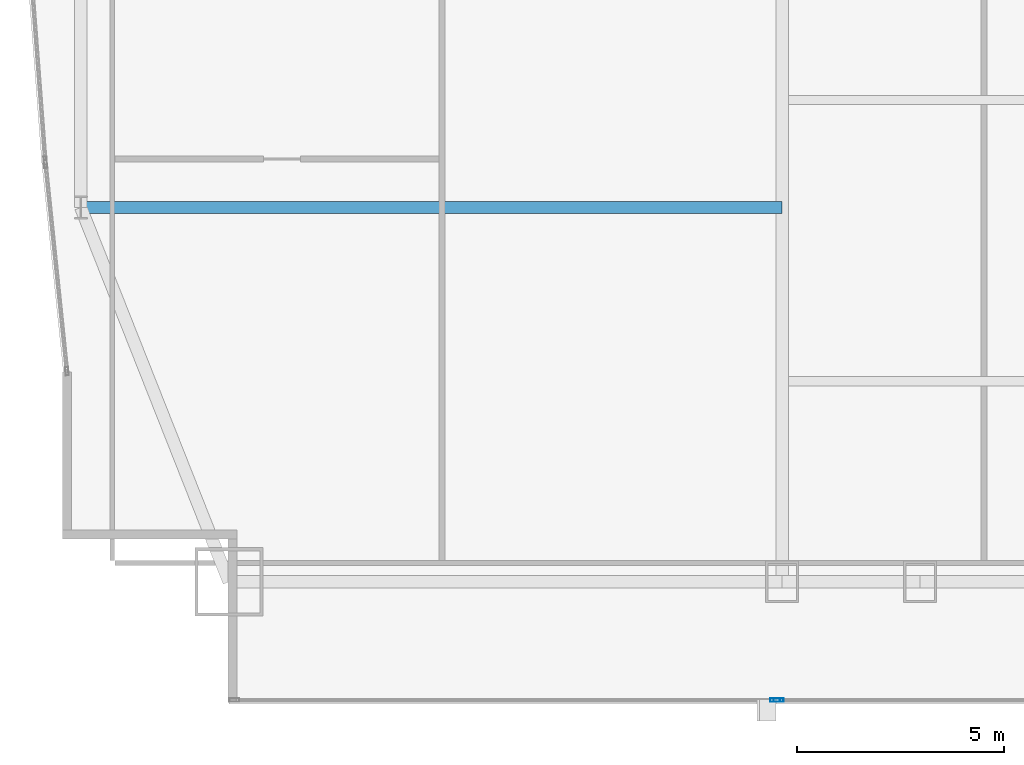
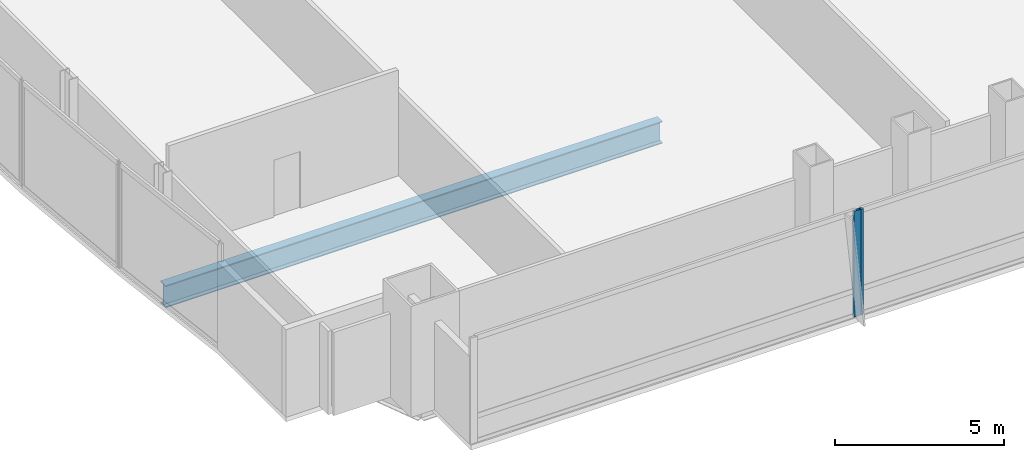
# One storey, part 7 of 32: 2 members, 1 beam, 2 elements without a shape of their own.
"""IFC4 building model written with IfcOpenShell, lengths in metres."""

from ifc_helpers import new_model, si_unit, direction, frame, origin, origin_2d, place, context, subcontext, project, spatial, hollow_rectangle, i_section, extrude, material, material_profile, profile_set, type_object, element, aggregate, save


model = new_model("IFC4")

# Units and contexts
model_context = context("Model", 3, precision=1e-05, world=origin(), true_north=direction((0.0, 1.0)))
body_context = subcontext(model_context, "Body", "Model", "MODEL_VIEW")
ifc_project = project(units=[si_unit("LENGTHUNIT", "METRE"), si_unit("AREAUNIT", "SQUARE_METRE"), si_unit("VOLUMEUNIT", "CUBIC_METRE"), si_unit("PLANEANGLEUNIT", "RADIAN"), si_unit("MASSUNIT", "GRAM", prefix="KILO")], contexts=[model_context])

# Site, building, storey
site_placement = place(None, origin())
site = spatial("IfcSite", under=ifc_project, at=site_placement, CompositionType="ELEMENT")
building_placement = place(site_placement, origin())
building = spatial("IfcBuilding", under=site, at=building_placement, Name="Khoronbel Lancet Exchange", CompositionType="ELEMENT")
storey_placement = place(building_placement, frame((0.0, 0.0, 29.800048828125)))
storey = spatial("IfcBuildingStorey", under=building, at=storey_placement, Name="L06", CompositionType="ELEMENT", Elevation=29.800048828125)

# Beam
ifc_material_1 = material(Name="Steel S355", Category="steel")
ifc_material_profile_1 = material_profile(ifc_material_1, i_section(OverallWidth=0.300048828125, OverallDepth=0.800048828125, WebThickness=0.017578125, FlangeThickness=0.032958984375, at=origin_2d()), Name="HEB 800")
ifc_profile_set_1 = profile_set([ifc_material_profile_1], Name="Steel S355")
beam_type = type_object("IfcBeamType", Name="BM-BG2", PredefinedType="BEAM", material=ifc_profile_set_1)
beam_placement = place(storey_placement, frame((1.27001953125, 19.199951171875, -0.580078125), z_axis=(1.0, 0.0, 0.0), x_axis=(0.0, 1.0, 0.0)))
element("IfcBeam", 1, at=beam_placement, inside=storey, type_object=beam_type, Name="Level L06 west lens tie girder LG1W", PredefinedType="BEAM", context=body_context, shape_type="SweptSolid", body=[
    extrude(i_section(OverallWidth=0.300048828125, OverallDepth=0.800048828125, WebThickness=0.017578125, FlangeThickness=0.032958984375, at=origin_2d()), origin(), (0.0, 0.0, 1.0), 16.955078125),
])

# Curtain wall, member
ifc_material_2 = material(Name="Low-E Solar Control Insulating Glass", Category="glass")
curtain_wall_type = type_object("IfcCurtainWallType", Name="CW-1", PredefinedType="NOTDEFINED", material=ifc_material_2)
curtain_wall_1_placement = place(storey_placement, origin())
curtain_wall_1 = element("IfcCurtainWall", 2, at=curtain_wall_1_placement, inside=storey, type_object=curtain_wall_type, Name="Unitised curtain wall CW-L06-SWV", PredefinedType="NOTDEFINED")
ifc_material_3 = material(Name="Bronze-Anodised Aluminium 6063-T6", Category="aluminium")
ifc_material_profile_2 = material_profile(ifc_material_3, hollow_rectangle(XDim=0.0849609375, YDim=0.239990234375, WallThickness=0.006103515625, at=origin_2d()), Name="ALU MULLION 85x240")
ifc_profile_set_2 = profile_set([ifc_material_profile_2], Name="Bronze-Anodised Aluminium 6063-T6")
member_type = type_object("IfcMemberType", Name="MEM-CWM1", PredefinedType="MULLION", material=ifc_profile_set_2)
member_1_placement = place(storey_placement, frame((18.0576171875, 7.2900390625, 0.0), z_axis=(0.0, 0.0, 1.0), x_axis=(0.0, 1.0, 0.0)))
member_1 = element("IfcMember", 3, at=member_1_placement, type_object=member_type, Name="CW1 mullion 2", PredefinedType="MULLION", context=body_context, shape_type="SweptSolid", body=[
    extrude(hollow_rectangle(XDim=0.0849609375, YDim=0.239990234375, WallThickness=0.006103515625, at=origin_2d()), origin(), (0.0, 0.0, 1.0), 3.820068359375),
])
aggregate(curtain_wall_1, [member_1])

curtain_wall_2_placement = place(storey_placement, origin())
curtain_wall_2 = element("IfcCurtainWall", 4, at=curtain_wall_2_placement, inside=storey, type_object=curtain_wall_type, Name="Unitised curtain wall CW-L06-SWB", PredefinedType="NOTDEFINED")
member_2_placement = place(storey_placement, frame((18.142578125, 7.2900390625, 0.0), z_axis=(0.0, 0.0, 1.0), x_axis=(0.0, 1.0, 0.0)))
member_2 = element("IfcMember", 5, at=member_2_placement, type_object=member_type, Name="CW1 mullion 1", PredefinedType="MULLION", context=body_context, shape_type="SweptSolid", body=[
    extrude(hollow_rectangle(XDim=0.0849609375, YDim=0.239990234375, WallThickness=0.006103515625, at=origin_2d()), origin(), (0.0, 0.0, 1.0), 3.820068359375),
])
aggregate(curtain_wall_2, [member_2])

save(model, "model.ifc")
